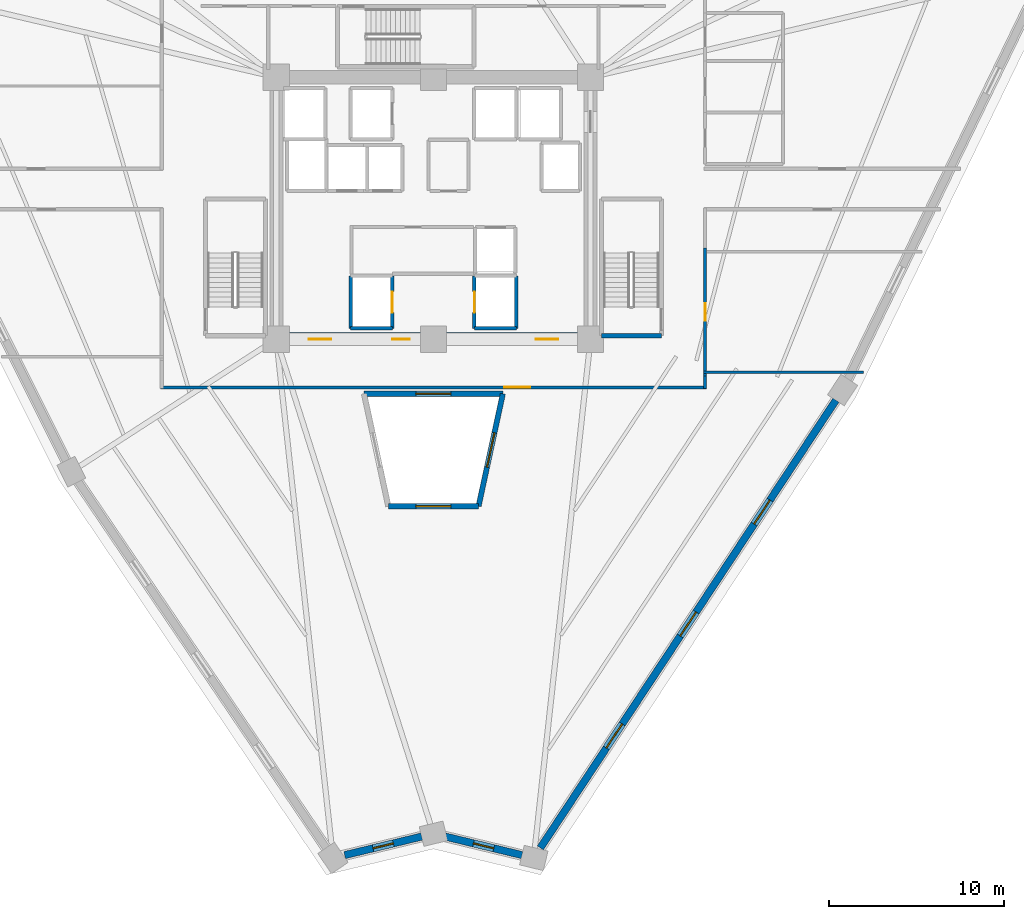
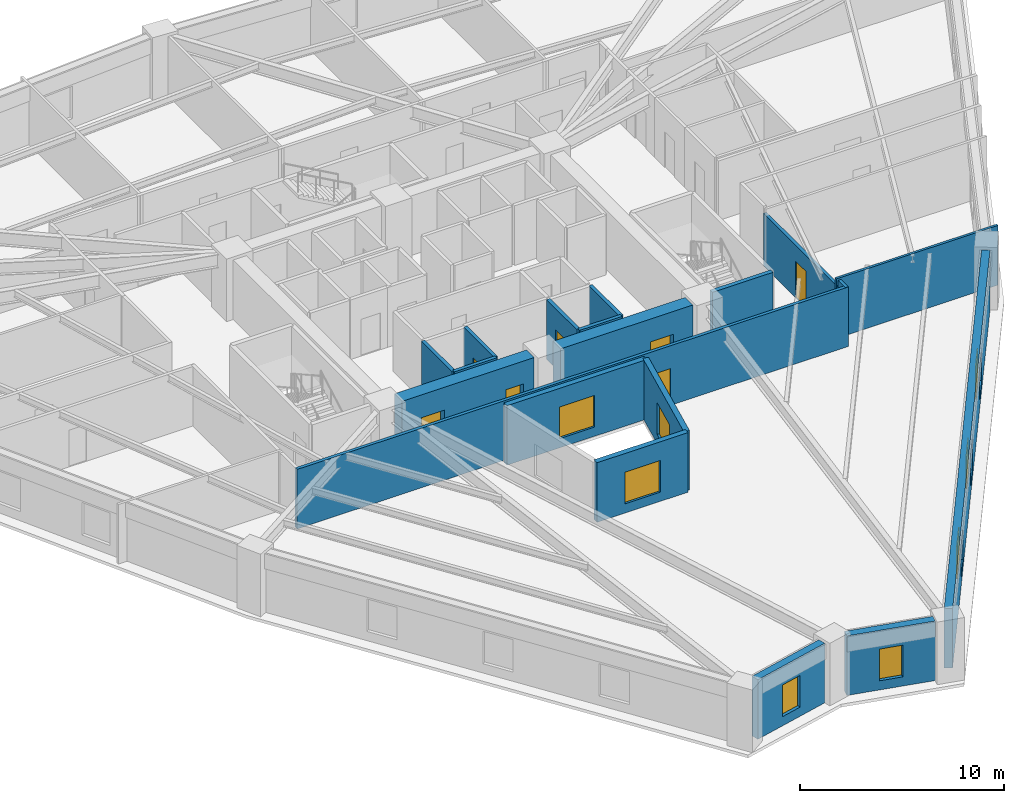
# One storey, part 3 of 8: 19 walls, 8 windows, 7 doors, 15 openings.
"""IFC4 building model written with IfcOpenShell, lengths in metres."""

from ifc_helpers import new_model, si_unit, direction, frame, frame_2d, origin, place, context, subcontext, project, spatial, rectangle, extrude, source, transform, mapped, material, layer, layer_set, type_object, element, fill, save


model = new_model("IFC4")

# Units and contexts
model_context = context("Model", 3, precision=1e-05, world=origin(), true_north=direction((0.0, 1.0)))
body_context = subcontext(model_context, "Body", "Model", "MODEL_VIEW")
ifc_project = project(units=[si_unit("LENGTHUNIT", "METRE"), si_unit("AREAUNIT", "SQUARE_METRE"), si_unit("VOLUMEUNIT", "CUBIC_METRE"), si_unit("PLANEANGLEUNIT", "RADIAN"), si_unit("MASSUNIT", "GRAM", prefix="KILO")], contexts=[model_context])

# Site, building, storey
site_placement = place(None, origin())
site = spatial("IfcSite", under=ifc_project, at=site_placement, CompositionType="ELEMENT")
building_placement = place(site_placement, origin())
building = spatial("IfcBuilding", under=site, at=building_placement, Name="Liaohun Quay Tower", CompositionType="ELEMENT")
storey_placement = place(building_placement, frame((0.0, 0.0, 159.0)))
storey = spatial("IfcBuildingStorey", under=building, at=storey_placement, Name="L41", CompositionType="ELEMENT", Elevation=159.0)

# Wall, opening, window
ifc_material_1 = material(Name="Concrete C50", Category="concrete")
ifc_layer_1 = layer(ifc_material_1, 0.300048828125, Name="Concrete C50", Category="concrete")
ifc_layer_set_1 = layer_set([ifc_layer_1], Name="Concrete C50")
wall_type_1 = type_object("IfcWallType", Name="WAL-ATR-300", PredefinedType="SOLIDWALL", material=ifc_layer_set_1)
wall_1_placement = place(storey_placement, frame((56.02197265625, 43.3701171875, 0.0), z_axis=(0.0, 0.0, 1.0), x_axis=(1.0, 0.0, 0.0)))
wall_1 = element("IfcWall", 1, at=wall_1_placement, inside=storey, type_object=wall_type_1, Name="L41 Atrium Fire Compartment Wall 2", PredefinedType="SOLIDWALL", context=body_context, shape_type="SweptSolid", body=[
    extrude(rectangle(XDim=7.9560546875, YDim=0.300048828125, at=frame_2d((3.97802734375, 0.0))), origin(), (0.0, 0.0, 1.0), 3.570068359375),
])
shared_shape_1 = source(origin(), body_context, "Body", "SweptSolid", [
    extrude(rectangle(XDim=2.0, YDim=1.89990234375, at=frame_2d((1.0, 0.949951171875))), frame((0.0, 0.159912109375, 0.0), z_axis=(0.0, -1.0, 0.0), x_axis=(1.0, 0.0, 0.0)), (0.0, 0.0, 1.0), 0.320068359375),
])
opening_1_placement = place(wall_1_placement, frame((2.97802734375, 0.0, 0.550048828125)))
opening_1 = element("IfcOpeningElement", 2, at=opening_1_placement, cuts=wall_1, Name="Opening W07", PredefinedType="OPENING", context=body_context, shape_type="MappedRepresentation", body=[
    mapped(shared_shape_1, transform((0.0, 0.0, 0.0), x_axis=(1.0, 0.0, 0.0), y_axis=(0.0, 1.0, 0.0), z_axis=(0.0, 0.0, 1.0), scale=1.0)),
])
ifc_material_2 = material(Name="Class A 180-min fire-resistant insulated glazing", Category="glass")
window_type_1 = type_object("IfcWindowType", Name="WIN-ATR-FIR", PartitioningType="DOUBLE_PANEL_VERTICAL", PredefinedType="WINDOW", material=ifc_material_2)
shared_shape_2 = source(origin(), body_context, "Body", "SweptSolid", [
    extrude(rectangle(XDim=2.0, YDim=1.89990234375, at=frame_2d((1.0, 0.949951171875))), frame((0.0, 0.030029296875, 0.0), z_axis=(0.0, -1.0, 0.0), x_axis=(1.0, 0.0, 0.0)), (0.0, 0.0, 1.0), 0.06005859375),
])
window_1_placement = place(opening_1_placement, origin())
window_1 = element("IfcWindow", 3, at=window_1_placement, inside=storey, type_object=window_type_1, Name="L41 Atrium Fire-Resistant Glazing W07-2", OverallHeight=1.89990234375, OverallWidth=2.0, PartitioningType="DOUBLE_PANEL_VERTICAL", PredefinedType="WINDOW", context=body_context, shape_type="MappedRepresentation", body=[
    mapped(shared_shape_2, transform((0.0, 0.0, 0.0), x_axis=(1.0, 0.0, 0.0), y_axis=(0.0, 1.0, 0.0), z_axis=(0.0, 0.0, 1.0), scale=1.0)),
])
fill(opening_1, window_1)

wall_2_placement = place(storey_placement, frame((63.97802734375, 43.3701171875, 0.0), z_axis=(0.0, 0.0, 1.0), x_axis=(-0.211277302898, -0.977426161549, 0.0)))
wall_2 = element("IfcWall", 4, at=wall_2_placement, inside=storey, type_object=wall_type_1, Name="L41 Atrium Fire Compartment Wall 3", PredefinedType="SOLIDWALL", context=body_context, shape_type="SweptSolid", body=[
    extrude(rectangle(XDim=6.5888671875, YDim=0.300048828125, at=frame_2d((3.29443359375, 0.0))), origin(), (0.0, 0.0, 1.0), 3.570068359375),
])
opening_2_placement = place(wall_2_placement, frame((2.2939453125, 0.0, 0.550048828125)))
opening_2 = element("IfcOpeningElement", 5, at=opening_2_placement, cuts=wall_2, Name="Opening W07", PredefinedType="OPENING", context=body_context, shape_type="MappedRepresentation", body=[
    mapped(shared_shape_1, transform((0.0, 0.0, 0.0), x_axis=(1.0, 0.0, 0.0), y_axis=(0.0, 1.0, 0.0), z_axis=(0.0, 0.0, 1.0), scale=1.0)),
])
window_2_placement = place(opening_2_placement, origin())
window_2 = element("IfcWindow", 6, at=window_2_placement, inside=storey, type_object=window_type_1, Name="L41 Atrium Fire-Resistant Glazing W07-3", OverallHeight=1.89990234375, OverallWidth=2.0, PartitioningType="DOUBLE_PANEL_VERTICAL", PredefinedType="WINDOW", context=body_context, shape_type="MappedRepresentation", body=[
    mapped(shared_shape_2, transform((0.0, 0.0, 0.0), x_axis=(1.0, 0.0, 0.0), y_axis=(0.0, 1.0, 0.0), z_axis=(0.0, 0.0, 1.0), scale=1.0)),
])
fill(opening_2, window_2)

wall_3_placement = place(storey_placement, frame((62.5859375, 36.929931640625, 0.0), z_axis=(0.0, 0.0, 1.0), x_axis=(-1.0, 0.0, 0.0)))
wall_3 = element("IfcWall", 7, at=wall_3_placement, inside=storey, type_object=wall_type_1, Name="L41 Atrium Fire Compartment Wall 4", PredefinedType="SOLIDWALL", context=body_context, shape_type="SweptSolid", body=[
    extrude(rectangle(XDim=5.171875, YDim=0.300048828125, at=frame_2d((2.5859375, 0.0))), origin(), (0.0, 0.0, 1.0), 3.570068359375),
])
opening_3_placement = place(wall_3_placement, frame((1.5859375, 0.0, 0.550048828125)))
opening_3 = element("IfcOpeningElement", 8, at=opening_3_placement, cuts=wall_3, Name="Opening W07", PredefinedType="OPENING", context=body_context, shape_type="MappedRepresentation", body=[
    mapped(shared_shape_1, transform((0.0, 0.0, 0.0), x_axis=(1.0, 0.0, 0.0), y_axis=(0.0, 1.0, 0.0), z_axis=(0.0, 0.0, 1.0), scale=1.0)),
])
window_3_placement = place(opening_3_placement, origin())
window_3 = element("IfcWindow", 9, at=window_3_placement, inside=storey, type_object=window_type_1, Name="L41 Atrium Fire-Resistant Glazing W07-4", OverallHeight=1.89990234375, OverallWidth=2.0, PartitioningType="DOUBLE_PANEL_VERTICAL", PredefinedType="WINDOW", context=body_context, shape_type="MappedRepresentation", body=[
    mapped(shared_shape_2, transform((0.0, 0.0, 0.0), x_axis=(1.0, 0.0, 0.0), y_axis=(0.0, 1.0, 0.0), z_axis=(0.0, 0.0, 1.0), scale=1.0)),
])
fill(opening_3, window_3)

# Wall, opening, door
ifc_material_3 = material(Name="Concrete C60", Category="concrete")
ifc_layer_2 = layer(ifc_material_3, 0.75, Name="Concrete C60", Category="concrete")
ifc_layer_set_2 = layer_set([ifc_layer_2], Name="Concrete C60")
wall_type_2 = type_object("IfcWallType", Name="WAL-COR-Z2", PredefinedType="SHEAR", material=ifc_layer_set_2)
wall_4_placement = place(storey_placement, frame((68.25, 46.5, 0.0), z_axis=(0.0, 0.0, 1.0), x_axis=(-1.0, 0.0, 0.0)))
wall_4 = element("IfcWall", 10, at=wall_4_placement, inside=storey, type_object=wall_type_2, Name="L41 Central Core Shear Wall S-E", PredefinedType="SHEAR", context=body_context, shape_type="SweptSolid", body=[
    extrude(rectangle(XDim=7.5, YDim=0.75, at=frame_2d((3.75, 0.0))), origin(), (0.0, 0.0, 1.0), 3.570068359375),
])
shared_shape_3 = source(origin(), body_context, "Body", "SweptSolid", [
    extrude(rectangle(XDim=1.300048828125, YDim=2.199951171875, at=frame_2d((0.64990234375, 1.10009765625))), frame((0.0, 0.385009765625, 0.0), z_axis=(0.0, -1.0, 0.0), x_axis=(1.0, 0.0, 0.0)), (0.0, 0.0, 1.0), 0.77001953125),
])
opening_4_placement = place(wall_4_placement, frame((1.10009765625, 0.0, 0.0)))
opening_4 = element("IfcOpeningElement", 11, at=opening_4_placement, cuts=wall_4, Name="Opening FD1", PredefinedType="OPENING", context=body_context, shape_type="MappedRepresentation", body=[
    mapped(shared_shape_3, transform((0.0, 0.0, 0.0), x_axis=(1.0, 0.0, 0.0), y_axis=(0.0, 1.0, 0.0), z_axis=(0.0, 0.0, 1.0), scale=1.0)),
])
ifc_material_4 = material(Name="Galvanised steel smokeproof fire door", Category="steel")
door_type_1 = type_object("IfcDoorType", Name="DOR-FFL-1300", OperationType="NOTDEFINED", PredefinedType="DOOR", material=ifc_material_4)
shared_shape_4 = source(origin(), body_context, "Body", "SweptSolid", [
    extrude(rectangle(XDim=1.300048828125, YDim=2.199951171875, at=frame_2d((0.64990234375, 1.10009765625))), frame((0.0, 0.02490234375, 0.0), z_axis=(0.0, -1.0, 0.0), x_axis=(1.0, 0.0, 0.0)), (0.0, 0.0, 1.0), 0.050048828125),
])
door_1_placement = place(opening_4_placement, origin())
door_1 = element("IfcDoor", 12, at=door_1_placement, inside=storey, type_object=door_type_1, Name="L41 East Core Lift Lobby Smokeproof Door", OperationType="SINGLE_SWING_LEFT", OverallHeight=2.199951171875, OverallWidth=1.300048828125, PredefinedType="DOOR", context=body_context, shape_type="MappedRepresentation", body=[
    mapped(shared_shape_4, transform((0.0, 0.0, 0.0), x_axis=(1.0, 0.0, 0.0), y_axis=(0.0, 1.0, 0.0), z_axis=(0.0, 0.0, 1.0), scale=1.0)),
])
fill(opening_4, door_1)

# Wall, openings, doors
wall_5_placement = place(storey_placement, frame((59.25, 46.5, 0.0), z_axis=(0.0, 0.0, 1.0), x_axis=(-1.0, 0.0, 0.0)))
wall_5 = element("IfcWall", 13, at=wall_5_placement, inside=storey, type_object=wall_type_2, Name="L41 Central Core Shear Wall S-W", PredefinedType="SHEAR", context=body_context, shape_type="SweptSolid", body=[
    extrude(rectangle(XDim=7.5, YDim=0.75, at=frame_2d((3.75, 0.0))), origin(), (0.0, 0.0, 1.0), 3.570068359375),
])
opening_5_placement = place(wall_5_placement, frame((5.10009765625, 0.0, 0.0)))
opening_5 = element("IfcOpeningElement", 14, at=opening_5_placement, cuts=wall_5, Name="Opening FD1", PredefinedType="OPENING", context=body_context, shape_type="MappedRepresentation", body=[
    mapped(shared_shape_3, transform((0.0, 0.0, 0.0), x_axis=(1.0, 0.0, 0.0), y_axis=(0.0, 1.0, 0.0), z_axis=(0.0, 0.0, 1.0), scale=1.0)),
])
shared_shape_5 = source(origin(), body_context, "Body", "SweptSolid", [
    extrude(rectangle(XDim=1.0, YDim=2.199951171875, at=frame_2d((0.5, 1.10009765625))), frame((0.0, 0.385009765625, 0.0), z_axis=(0.0, -1.0, 0.0), x_axis=(1.0, 0.0, 0.0)), (0.0, 0.0, 1.0), 0.77001953125),
])
opening_6_placement = place(wall_5_placement, frame((0.60009765625, 0.0, 0.0)))
opening_6 = element("IfcOpeningElement", 15, at=opening_6_placement, cuts=wall_5, Name="Opening FD2", PredefinedType="OPENING", context=body_context, shape_type="MappedRepresentation", body=[
    mapped(shared_shape_5, transform((0.0, 0.0, 0.0), x_axis=(1.0, 0.0, 0.0), y_axis=(0.0, 1.0, 0.0), z_axis=(0.0, 0.0, 1.0), scale=1.0)),
])
door_2_placement = place(opening_5_placement, origin())
door_2 = element("IfcDoor", 16, at=door_2_placement, inside=storey, type_object=door_type_1, Name="L41 West Core Lift Lobby Smokeproof Door", OperationType="SINGLE_SWING_RIGHT", OverallHeight=2.199951171875, OverallWidth=1.300048828125, PredefinedType="DOOR", context=body_context, shape_type="MappedRepresentation", body=[
    mapped(shared_shape_4, transform((0.0, 0.0, 0.0), x_axis=(1.0, 0.0, 0.0), y_axis=(0.0, 1.0, 0.0), z_axis=(0.0, 0.0, 1.0), scale=1.0)),
])
fill(opening_5, door_2)
ifc_material_5 = material(Name="Galvanised steel smokeproof lobby fire door", Category="steel")
door_type_2 = type_object("IfcDoorType", Name="DOR-FFL-1000", OperationType="NOTDEFINED", PredefinedType="DOOR", material=ifc_material_5)
shared_shape_6 = source(origin(), body_context, "Body", "SweptSolid", [
    extrude(rectangle(XDim=1.0, YDim=2.199951171875, at=frame_2d((0.5, 1.10009765625))), frame((0.0, 0.02490234375, 0.0), z_axis=(0.0, -1.0, 0.0), x_axis=(1.0, 0.0, 0.0)), (0.0, 0.0, 1.0), 0.050048828125),
])
door_3_placement = place(opening_6_placement, origin())
door_3 = element("IfcDoor", 17, at=door_3_placement, inside=storey, type_object=door_type_2, Name="L41 South Firefighting Lobby Smokeproof Door", OperationType="SINGLE_SWING_LEFT", OverallHeight=2.199951171875, OverallWidth=1.0, PredefinedType="DOOR", context=body_context, shape_type="MappedRepresentation", body=[
    mapped(shared_shape_6, transform((0.0, 0.0, 0.0), x_axis=(1.0, 0.0, 0.0), y_axis=(0.0, 1.0, 0.0), z_axis=(0.0, 0.0, 1.0), scale=1.0)),
])
fill(opening_6, door_3)

# Wall, opening, window
ifc_material_6 = material(Name="Precast concrete C50 insulated sandwich", Category="concrete")
ifc_layer_3 = layer(ifc_material_6, 0.419921875, Name="Precast concrete C50 insulated sandwich", Category="concrete")
ifc_layer_set_3 = layer_set([ifc_layer_3], Name="Precast concrete C50 insulated sandwich")
wall_type_3 = type_object("IfcWallType", Name="WAL-EXT-Z12", PredefinedType="SOLIDWALL", material=ifc_layer_set_3)
wall_6_placement = place(storey_placement, frame((60.6708984375, 18.009033203125, 0.0), z_axis=(0.0, 0.0, 1.0), x_axis=(0.972047876223, -0.234782721531, 0.0)))
wall_6 = element("IfcWall", 18, at=wall_6_placement, inside=storey, type_object=wall_type_3, Name="L41 Brutalist Precast Pier Wall 01", PredefinedType="SOLIDWALL", context=body_context, shape_type="SweptSolid", body=[
    extrude(rectangle(XDim=4.53173828125, YDim=0.419921875, at=frame_2d((2.265869140625, 0.0))), origin(), (0.0, 0.0, 1.0), 3.570068359375),
])
shared_shape_7 = source(origin(), body_context, "Body", "SweptSolid", [
    extrude(rectangle(XDim=1.199951171875, YDim=1.89990234375, at=frame_2d((0.60009765625, 0.949951171875))), frame((0.0, 0.219970703125, 0.0), z_axis=(0.0, -1.0, 0.0), x_axis=(1.0, 0.0, 0.0)), (0.0, 0.0, 1.0), 0.43994140625),
])
opening_7_placement = place(wall_6_placement, frame((1.666015625, 0.0, 0.550048828125)))
opening_7 = element("IfcOpeningElement", 19, at=opening_7_placement, cuts=wall_6, Name="Opening W05", PredefinedType="OPENING", context=body_context, shape_type="MappedRepresentation", body=[
    mapped(shared_shape_7, transform((0.0, 0.0, 0.0), x_axis=(1.0, 0.0, 0.0), y_axis=(0.0, 1.0, 0.0), z_axis=(0.0, 0.0, 1.0), scale=1.0)),
])
ifc_material_7 = material(Name="Triple Low-E corner notch glazing", Category="glass")
window_type_2 = type_object("IfcWindowType", Name="WIN-NOTCH", PartitioningType="SINGLE_PANEL", PredefinedType="WINDOW", material=ifc_material_7)
shared_shape_8 = source(origin(), body_context, "Body", "SweptSolid", [
    extrude(rectangle(XDim=1.199951171875, YDim=1.89990234375, at=frame_2d((0.60009765625, 0.949951171875))), frame((0.0, 0.030029296875, 0.0), z_axis=(0.0, -1.0, 0.0), x_axis=(1.0, 0.0, 0.0)), (0.0, 0.0, 1.0), 0.06005859375),
])
window_4_placement = place(opening_7_placement, origin())
window_4 = element("IfcWindow", 20, at=window_4_placement, inside=storey, type_object=window_type_2, Name="L41 Corner Notch Window W05-01", OverallHeight=1.89990234375, OverallWidth=1.199951171875, PartitioningType="SINGLE_PANEL", PredefinedType="WINDOW", context=body_context, shape_type="MappedRepresentation", body=[
    mapped(shared_shape_8, transform((0.0, 0.0, 0.0), x_axis=(1.0, 0.0, 0.0), y_axis=(0.0, 1.0, 0.0), z_axis=(0.0, 0.0, 1.0), scale=1.0)),
])
fill(opening_7, window_4)

# Wall, openings, windows
wall_7_placement = place(storey_placement, frame((66.126953125, 17.35888671875, 0.0), z_axis=(0.0, 0.0, 1.0), x_axis=(0.550882826914, 0.834582596878, 0.0)))
wall_7 = element("IfcWall", 21, at=wall_7_placement, inside=storey, type_object=wall_type_3, Name="L41 Brutalist Precast Pier Wall 02", PredefinedType="SOLIDWALL", context=body_context, shape_type="SweptSolid", body=[
    extrude(rectangle(XDim=30.730712890625, YDim=0.419921875, at=frame_2d((15.365234375, 0.0))), origin(), (0.0, 0.0, 1.0), 3.570068359375),
])
shared_shape_9 = source(origin(), body_context, "Body", "SweptSolid", [
    extrude(rectangle(XDim=1.64990234375, YDim=1.949951171875, at=frame_2d((0.824951171875, 0.97509765625))), frame((0.0, 0.219970703125, 0.0), z_axis=(0.0, -1.0, 0.0), x_axis=(1.0, 0.0, 0.0)), (0.0, 0.0, 1.0), 0.43994140625),
])
opening_8_placement = place(wall_7_placement, frame((6.85791015625, 0.0, 0.550048828125)))
opening_8 = element("IfcOpeningElement", 22, at=opening_8_placement, cuts=wall_7, Name="Opening W02", PredefinedType="OPENING", context=body_context, shape_type="MappedRepresentation", body=[
    mapped(shared_shape_9, transform((0.0, 0.0, 0.0), x_axis=(1.0, 0.0, 0.0), y_axis=(0.0, 1.0, 0.0), z_axis=(0.0, 0.0, 1.0), scale=1.0)),
])
opening_9_placement = place(wall_7_placement, frame((14.5400390625, 0.0, 0.550048828125)))
opening_9 = element("IfcOpeningElement", 23, at=opening_9_placement, cuts=wall_7, Name="Opening W02", PredefinedType="OPENING", context=body_context, shape_type="MappedRepresentation", body=[
    mapped(shared_shape_9, transform((0.0, 0.0, 0.0), x_axis=(1.0, 0.0, 0.0), y_axis=(0.0, 1.0, 0.0), z_axis=(0.0, 0.0, 1.0), scale=1.0)),
])
opening_10_placement = place(wall_7_placement, frame((22.222900390625, 0.0, 0.550048828125)))
opening_10 = element("IfcOpeningElement", 24, at=opening_10_placement, cuts=wall_7, Name="Opening W02", PredefinedType="OPENING", context=body_context, shape_type="MappedRepresentation", body=[
    mapped(shared_shape_9, transform((0.0, 0.0, 0.0), x_axis=(1.0, 0.0, 0.0), y_axis=(0.0, 1.0, 0.0), z_axis=(0.0, 0.0, 1.0), scale=1.0)),
])
ifc_material_8 = material(Name="Triple Low-E argon glazing in thermally broken aluminium", Category="aluminium")
window_type_3 = type_object("IfcWindowType", Name="WIN-PUN-Z2", PartitioningType="DOUBLE_PANEL_VERTICAL", PredefinedType="WINDOW", material=ifc_material_8)
shared_shape_10 = source(origin(), body_context, "Body", "SweptSolid", [
    extrude(rectangle(XDim=1.64990234375, YDim=1.949951171875, at=frame_2d((0.824951171875, 0.97509765625))), frame((0.0, 0.030029296875, 0.0), z_axis=(0.0, -1.0, 0.0), x_axis=(1.0, 0.0, 0.0)), (0.0, 0.0, 1.0), 0.06005859375),
])
window_5_placement = place(opening_8_placement, origin())
window_5 = element("IfcWindow", 25, at=window_5_placement, inside=storey, type_object=window_type_3, Name="L41 Recessed Cold-Climate Punched Window 02-1", OverallHeight=1.949951171875, OverallWidth=1.64990234375, PartitioningType="DOUBLE_PANEL_VERTICAL", PredefinedType="WINDOW", context=body_context, shape_type="MappedRepresentation", body=[
    mapped(shared_shape_10, transform((0.0, 0.0, 0.0), x_axis=(1.0, 0.0, 0.0), y_axis=(0.0, 1.0, 0.0), z_axis=(0.0, 0.0, 1.0), scale=1.0)),
])
fill(opening_8, window_5)
window_6_placement = place(opening_9_placement, origin())
window_6 = element("IfcWindow", 26, at=window_6_placement, inside=storey, type_object=window_type_3, Name="L41 Recessed Cold-Climate Punched Window 02-2", OverallHeight=1.949951171875, OverallWidth=1.64990234375, PartitioningType="DOUBLE_PANEL_VERTICAL", PredefinedType="WINDOW", context=body_context, shape_type="MappedRepresentation", body=[
    mapped(shared_shape_10, transform((0.0, 0.0, 0.0), x_axis=(1.0, 0.0, 0.0), y_axis=(0.0, 1.0, 0.0), z_axis=(0.0, 0.0, 1.0), scale=1.0)),
])
fill(opening_9, window_6)
window_7_placement = place(opening_10_placement, origin())
window_7 = element("IfcWindow", 27, at=window_7_placement, inside=storey, type_object=window_type_3, Name="L41 Recessed Cold-Climate Punched Window 02-3", OverallHeight=1.949951171875, OverallWidth=1.64990234375, PartitioningType="DOUBLE_PANEL_VERTICAL", PredefinedType="WINDOW", context=body_context, shape_type="MappedRepresentation", body=[
    mapped(shared_shape_10, transform((0.0, 0.0, 0.0), x_axis=(1.0, 0.0, 0.0), y_axis=(0.0, 1.0, 0.0), z_axis=(0.0, 0.0, 1.0), scale=1.0)),
])
fill(opening_10, window_7)

# Wall, opening, window
wall_8_placement = place(storey_placement, frame((54.916015625, 16.944091796875, 0.0), z_axis=(0.0, 0.0, 1.0), x_axis=(0.972096587911, 0.234580953556, 0.0)))
wall_8 = element("IfcWall", 28, at=wall_8_placement, inside=storey, type_object=wall_type_3, Name="L41 Brutalist Precast Pier Wall 12", PredefinedType="SOLIDWALL", context=body_context, shape_type="SweptSolid", body=[
    extrude(rectangle(XDim=4.539794921875, YDim=0.419921875, at=frame_2d((2.27001953125, 0.0))), origin(), (0.0, 0.0, 1.0), 3.570068359375),
])
opening_11_placement = place(wall_8_placement, frame((1.669921875, 0.0, 0.550048828125)))
opening_11 = element("IfcOpeningElement", 29, at=opening_11_placement, cuts=wall_8, Name="Opening W05", PredefinedType="OPENING", context=body_context, shape_type="MappedRepresentation", body=[
    mapped(shared_shape_7, transform((0.0, 0.0, 0.0), x_axis=(1.0, 0.0, 0.0), y_axis=(0.0, 1.0, 0.0), z_axis=(0.0, 0.0, 1.0), scale=1.0)),
])
window_8_placement = place(opening_11_placement, origin())
window_8 = element("IfcWindow", 30, at=window_8_placement, inside=storey, type_object=window_type_2, Name="L41 Corner Notch Window W05-12", OverallHeight=1.89990234375, OverallWidth=1.199951171875, PartitioningType="SINGLE_PANEL", PredefinedType="WINDOW", context=body_context, shape_type="MappedRepresentation", body=[
    mapped(shared_shape_8, transform((0.0, 0.0, 0.0), x_axis=(1.0, 0.0, 0.0), y_axis=(0.0, 1.0, 0.0), z_axis=(0.0, 0.0, 1.0), scale=1.0)),
])
fill(opening_11, window_8)

# Wall, opening, door
ifc_material_9 = material(Name="Autoclaved aerated concrete blockwork", Category="masonry")
ifc_layer_4 = layer(ifc_material_9, 0.179931640625, Name="Autoclaved aerated concrete blockwork", Category="masonry")
ifc_layer_set_4 = layer_set([ifc_layer_4], Name="Autoclaved aerated concrete blockwork")
wall_type_4 = type_object("IfcWallType", Name="WAL-PRT-COR", PredefinedType="PARTITIONING", material=ifc_layer_set_4)
wall_9_placement = place(storey_placement, frame((75.6298828125, 43.739990234375, 0.0), z_axis=(0.0, 0.0, 1.0), x_axis=(-1.0, 0.0, 0.0)))
wall_9 = element("IfcWall", 31, at=wall_9_placement, inside=storey, type_object=wall_type_4, Name="L41 Interior Partition Wall 019", PredefinedType="PARTITIONING", context=body_context, shape_type="SweptSolid", body=[
    extrude(rectangle(XDim=31.259765625, YDim=0.179931640625, at=frame_2d((15.6298828125, 0.0))), origin(), (0.0, 0.0, 1.0), 3.570068359375),
])
shared_shape_11 = source(origin(), body_context, "Body", "SweptSolid", [
    extrude(rectangle(XDim=1.5, YDim=2.199951171875, at=frame_2d((0.75, 1.10009765625))), frame((0.0, 0.099853515625, 0.0), z_axis=(0.0, -1.0, 0.0), x_axis=(1.0, 0.0, 0.0)), (0.0, 0.0, 1.0), 0.199951171875),
])
opening_12_placement = place(wall_9_placement, frame((10.080078125, 0.0, 0.0)))
opening_12 = element("IfcOpeningElement", 32, at=opening_12_placement, cuts=wall_9, Name="Opening OD2", PredefinedType="OPENING", context=body_context, shape_type="MappedRepresentation", body=[
    mapped(shared_shape_11, transform((0.0, 0.0, 0.0), x_axis=(1.0, 0.0, 0.0), y_axis=(0.0, 1.0, 0.0), z_axis=(0.0, 0.0, 1.0), scale=1.0)),
])
ifc_material_10 = material(Name="Acoustic oak veneer double door")
door_type_3 = type_object("IfcDoorType", Name="DOR-OFF-1500", OperationType="DOUBLE_DOOR_SINGLE_SWING", PredefinedType="DOOR", material=ifc_material_10)
shared_shape_12 = source(origin(), body_context, "Body", "SweptSolid", [
    extrude(rectangle(XDim=1.5, YDim=2.199951171875, at=frame_2d((0.75, 1.10009765625))), frame((0.0, 0.02490234375, 0.0), z_axis=(0.0, -1.0, 0.0), x_axis=(1.0, 0.0, 0.0)), (0.0, 0.0, 1.0), 0.050048828125),
])
door_4_placement = place(opening_12_placement, origin())
door_4 = element("IfcDoor", 33, at=door_4_placement, inside=storey, type_object=door_type_3, Name="L41 Open-Plan Office Workplace 10 Door", OperationType="DOUBLE_DOOR_SINGLE_SWING", OverallHeight=2.199951171875, OverallWidth=1.5, PredefinedType="DOOR", context=body_context, shape_type="MappedRepresentation", body=[
    mapped(shared_shape_12, transform((0.0, 0.0, 0.0), x_axis=(1.0, 0.0, 0.0), y_axis=(0.0, 1.0, 0.0), z_axis=(0.0, 0.0, 1.0), scale=1.0)),
])
fill(opening_12, door_4)

wall_10_placement = place(storey_placement, frame((75.56005859375, 51.715087890625, 0.0), z_axis=(0.0, 0.0, 1.0), x_axis=(0.0, -1.0, 0.0)))
wall_10 = element("IfcWall", 34, at=wall_10_placement, inside=storey, type_object=wall_type_4, Name="L41 Interior Partition Wall 020", PredefinedType="PARTITIONING", context=body_context, shape_type="SweptSolid", body=[
    extrude(rectangle(XDim=7.330078125, YDim=0.179931640625, at=frame_2d((3.6650390625, 0.0))), origin(), (0.0, 0.0, 1.0), 3.155029296875),
])
shared_shape_13 = source(origin(), body_context, "Body", "SweptSolid", [
    extrude(rectangle(XDim=1.0, YDim=2.199951171875, at=frame_2d((0.5, 1.10009765625))), frame((0.0, 0.099853515625, 0.0), z_axis=(0.0, -1.0, 0.0), x_axis=(1.0, 0.0, 0.0)), (0.0, 0.0, 1.0), 0.199951171875),
])
opening_13_placement = place(wall_10_placement, frame((3.1650390625, 0.0, 0.0)))
opening_13 = element("IfcOpeningElement", 35, at=opening_13_placement, cuts=wall_10, Name="Opening OD1", PredefinedType="OPENING", context=body_context, shape_type="MappedRepresentation", body=[
    mapped(shared_shape_13, transform((0.0, 0.0, 0.0), x_axis=(1.0, 0.0, 0.0), y_axis=(0.0, 1.0, 0.0), z_axis=(0.0, 0.0, 1.0), scale=1.0)),
])
ifc_material_11 = material(Name="Solid-core oak veneer timber leaf in steel frame", Category="steel")
door_type_4 = type_object("IfcDoorType", Name="DOR-OFF-1000", OperationType="NOTDEFINED", PredefinedType="DOOR", material=ifc_material_11)
door_5_placement = place(opening_13_placement, origin())
door_5 = element("IfcDoor", 36, at=door_5_placement, inside=storey, type_object=door_type_4, Name="L41 Executive Partner Office 11 Door", OperationType="SINGLE_SWING_LEFT", OverallHeight=2.199951171875, OverallWidth=1.0, PredefinedType="DOOR", context=body_context, shape_type="MappedRepresentation", body=[
    mapped(shared_shape_6, transform((0.0, 0.0, 0.0), x_axis=(1.0, 0.0, 0.0), y_axis=(0.0, 1.0, 0.0), z_axis=(0.0, 0.0, 1.0), scale=1.0)),
])
fill(opening_13, door_5)

# Walls
wall_11_placement = place(storey_placement, frame((75.56005859375, 44.385009765625, 0.0), z_axis=(0.0, 0.0, 1.0), x_axis=(0.0, -1.0, 0.0)))
element("IfcWall", 37, at=wall_11_placement, inside=storey, type_object=wall_type_4, Name="L41 Interior Partition Wall 038", PredefinedType="PARTITIONING", context=body_context, shape_type="SweptSolid", body=[
    extrude(rectangle(XDim=0.715087890625, YDim=0.179931640625, at=frame_2d((0.357421875, 0.0))), origin(), (0.0, 0.0, 1.0), 3.570068359375),
])
ifc_material_12 = material(Name="Gypsum board on twin steel studs", Category="steel")
ifc_layer_5 = layer(ifc_material_12, 0.139892578125, Name="Gypsum board on twin steel studs", Category="steel")
ifc_layer_set_5 = layer_set([ifc_layer_5], Name="Gypsum board on twin steel studs")
wall_type_5 = type_object("IfcWallType", Name="WAL-PRT-OFF", PredefinedType="PARTITIONING", material=ifc_layer_set_5)
wall_12_placement = place(storey_placement, frame((75.4599609375, 44.60009765625, 0.0), z_axis=(0.0, 0.0, 1.0), x_axis=(1.0, 0.0, 0.0)))
element("IfcWall", 38, at=wall_12_placement, inside=storey, type_object=wall_type_5, Name="L41 Interior Partition Wall 043", PredefinedType="PARTITIONING", context=body_context, shape_type="SweptSolid", body=[
    extrude(rectangle(XDim=9.171142578125, YDim=0.139892578125, at=frame_2d((4.58544921875, 0.0))), origin(), (0.0, 0.0, 1.0), 3.570068359375),
])
ifc_layer_6 = layer(ifc_material_1, 0.239990234375, Name="Concrete C50", Category="concrete")
ifc_layer_set_6 = layer_set([ifc_layer_6], Name="Concrete C50")
wall_type_6 = type_object("IfcWallType", Name="WAL-SHF-200", PredefinedType="SOLIDWALL", material=ifc_layer_set_6)
wall_13_placement = place(storey_placement, frame((69.6201171875, 46.699951171875, 0.0), z_axis=(0.0, 0.0, 1.0), x_axis=(1.0, 0.0, 0.0)))
element("IfcWall", 39, at=wall_13_placement, inside=storey, type_object=wall_type_6, Name="L41 Stairwell ST-2 Structural Core Wall S", PredefinedType="SOLIDWALL", context=body_context, shape_type="SweptSolid", body=[
    extrude(rectangle(XDim=3.43994140625, YDim=0.239990234375, at=frame_2d((1.719970703125, 0.0))), origin(), (0.0, 0.0, 1.0), 3.570068359375),
])
wall_14_placement = place(storey_placement, frame((55.25, 47.1201171875, 0.0), z_axis=(0.0, 0.0, 1.0), x_axis=(1.0, 0.0, 0.0)))
element("IfcWall", 40, at=wall_14_placement, inside=storey, type_object=wall_type_6, Name="L41 Lift FF-01 Hoistway Wall S", PredefinedType="SOLIDWALL", context=body_context, shape_type="SweptSolid", body=[
    extrude(rectangle(XDim=2.39990234375, YDim=0.199951171875, at=frame_2d((1.199951171875, 0.0))), origin(), (0.0, 0.0, 1.0), 3.570068359375),
])

# Wall, opening, door
wall_15_placement = place(storey_placement, frame((57.64990234375, 47.1201171875, 0.0), z_axis=(0.0, 0.0, 1.0), x_axis=(0.0, 1.0, 0.0)))
wall_15 = element("IfcWall", 41, at=wall_15_placement, inside=storey, type_object=wall_type_6, Name="L41 Lift FF-01 Hoistway Wall E", PredefinedType="SOLIDWALL", context=body_context, shape_type="SweptSolid", body=[
    extrude(rectangle(XDim=3.0, YDim=0.199951171875, at=frame_2d((1.5, 0.0))), origin(), (0.0, 0.0, 1.0), 3.570068359375),
])
shared_shape_14 = source(origin(), body_context, "Body", "SweptSolid", [
    extrude(rectangle(XDim=1.199951171875, YDim=2.300048828125, at=frame_2d((0.60009765625, 1.14990234375))), frame((0.0, 0.10986328125, 0.0), z_axis=(0.0, -1.0, 0.0), x_axis=(1.0, 0.0, 0.0)), (0.0, 0.0, 1.0), 0.219970703125),
])
opening_14_placement = place(wall_15_placement, frame((0.89990234375, 0.0, 0.0)))
opening_14 = element("IfcOpeningElement", 42, at=opening_14_placement, cuts=wall_15, Name="Opening LD2", PredefinedType="OPENING", context=body_context, shape_type="MappedRepresentation", body=[
    mapped(shared_shape_14, transform((0.0, 0.0, 0.0), x_axis=(1.0, 0.0, 0.0), y_axis=(0.0, 1.0, 0.0), z_axis=(0.0, 0.0, 1.0), scale=1.0)),
])
ifc_material_13 = material(Name="Brushed stainless steel stretcher landing door", Category="steel")
door_type_5 = type_object("IfcDoorType", Name="DOR-LFT-1200", OperationType="SLIDING_TO_LEFT", PredefinedType="DOOR", material=ifc_material_13)
shared_shape_15 = source(origin(), body_context, "Body", "SweptSolid", [
    extrude(rectangle(XDim=1.199951171875, YDim=2.300048828125, at=frame_2d((0.60009765625, 1.14990234375))), frame((0.0, 0.02490234375, 0.0), z_axis=(0.0, -1.0, 0.0), x_axis=(1.0, 0.0, 0.0)), (0.0, 0.0, 1.0), 0.050048828125),
])
door_6_placement = place(opening_14_placement, origin())
door_6 = element("IfcDoor", 43, at=door_6_placement, inside=storey, type_object=door_type_5, Name="L41 Lift FF-01 Sliding Landing Door", OperationType="SLIDING_TO_LEFT", OverallHeight=2.300048828125, OverallWidth=1.199951171875, PredefinedType="DOOR", context=body_context, shape_type="MappedRepresentation", body=[
    mapped(shared_shape_15, transform((0.0, 0.0, 0.0), x_axis=(1.0, 0.0, 0.0), y_axis=(0.0, 1.0, 0.0), z_axis=(0.0, 0.0, 1.0), scale=1.0)),
])
fill(opening_14, door_6)

# Walls
wall_16_placement = place(storey_placement, frame((55.25, 50.1201171875, 0.0), z_axis=(0.0, 0.0, 1.0), x_axis=(0.0, -1.0, 0.0)))
element("IfcWall", 44, at=wall_16_placement, inside=storey, type_object=wall_type_6, Name="L41 Lift FF-01 Hoistway Wall W", PredefinedType="SOLIDWALL", context=body_context, shape_type="SweptSolid", body=[
    extrude(rectangle(XDim=3.0, YDim=0.199951171875, at=frame_2d((1.5, 0.0))), origin(), (0.0, 0.0, 1.0), 3.570068359375),
])
wall_17_placement = place(storey_placement, frame((62.35009765625, 47.1201171875, 0.0), z_axis=(0.0, 0.0, 1.0), x_axis=(1.0, 0.0, 0.0)))
element("IfcWall", 45, at=wall_17_placement, inside=storey, type_object=wall_type_6, Name="L41 Lift FF-02 Hoistway Wall S", PredefinedType="SOLIDWALL", context=body_context, shape_type="SweptSolid", body=[
    extrude(rectangle(XDim=2.39990234375, YDim=0.199951171875, at=frame_2d((1.199951171875, 0.0))), origin(), (0.0, 0.0, 1.0), 3.570068359375),
])
wall_18_placement = place(storey_placement, frame((64.75, 47.1201171875, 0.0), z_axis=(0.0, 0.0, 1.0), x_axis=(0.0, 1.0, 0.0)))
element("IfcWall", 46, at=wall_18_placement, inside=storey, type_object=wall_type_6, Name="L41 Lift FF-02 Hoistway Wall E", PredefinedType="SOLIDWALL", context=body_context, shape_type="SweptSolid", body=[
    extrude(rectangle(XDim=3.0, YDim=0.199951171875, at=frame_2d((1.5, 0.0))), origin(), (0.0, 0.0, 1.0), 3.570068359375),
])

# Wall, opening, door
wall_19_placement = place(storey_placement, frame((62.35009765625, 50.1201171875, 0.0), z_axis=(0.0, 0.0, 1.0), x_axis=(0.0, -1.0, 0.0)))
wall_19 = element("IfcWall", 47, at=wall_19_placement, inside=storey, type_object=wall_type_6, Name="L41 Lift FF-02 Hoistway Wall W", PredefinedType="SOLIDWALL", context=body_context, shape_type="SweptSolid", body=[
    extrude(rectangle(XDim=3.0, YDim=0.199951171875, at=frame_2d((1.5, 0.0))), origin(), (0.0, 0.0, 1.0), 3.570068359375),
])
opening_15_placement = place(wall_19_placement, frame((0.89990234375, 0.0, 0.0)))
opening_15 = element("IfcOpeningElement", 48, at=opening_15_placement, cuts=wall_19, Name="Opening LD2", PredefinedType="OPENING", context=body_context, shape_type="MappedRepresentation", body=[
    mapped(shared_shape_14, transform((0.0, 0.0, 0.0), x_axis=(1.0, 0.0, 0.0), y_axis=(0.0, 1.0, 0.0), z_axis=(0.0, 0.0, 1.0), scale=1.0)),
])
door_7_placement = place(opening_15_placement, origin())
door_7 = element("IfcDoor", 49, at=door_7_placement, inside=storey, type_object=door_type_5, Name="L41 Lift FF-02 Sliding Landing Door", OperationType="SLIDING_TO_LEFT", OverallHeight=2.300048828125, OverallWidth=1.199951171875, PredefinedType="DOOR", context=body_context, shape_type="MappedRepresentation", body=[
    mapped(shared_shape_15, transform((0.0, 0.0, 0.0), x_axis=(1.0, 0.0, 0.0), y_axis=(0.0, 1.0, 0.0), z_axis=(0.0, 0.0, 1.0), scale=1.0)),
])
fill(opening_15, door_7)

save(model, "model.ifc")
